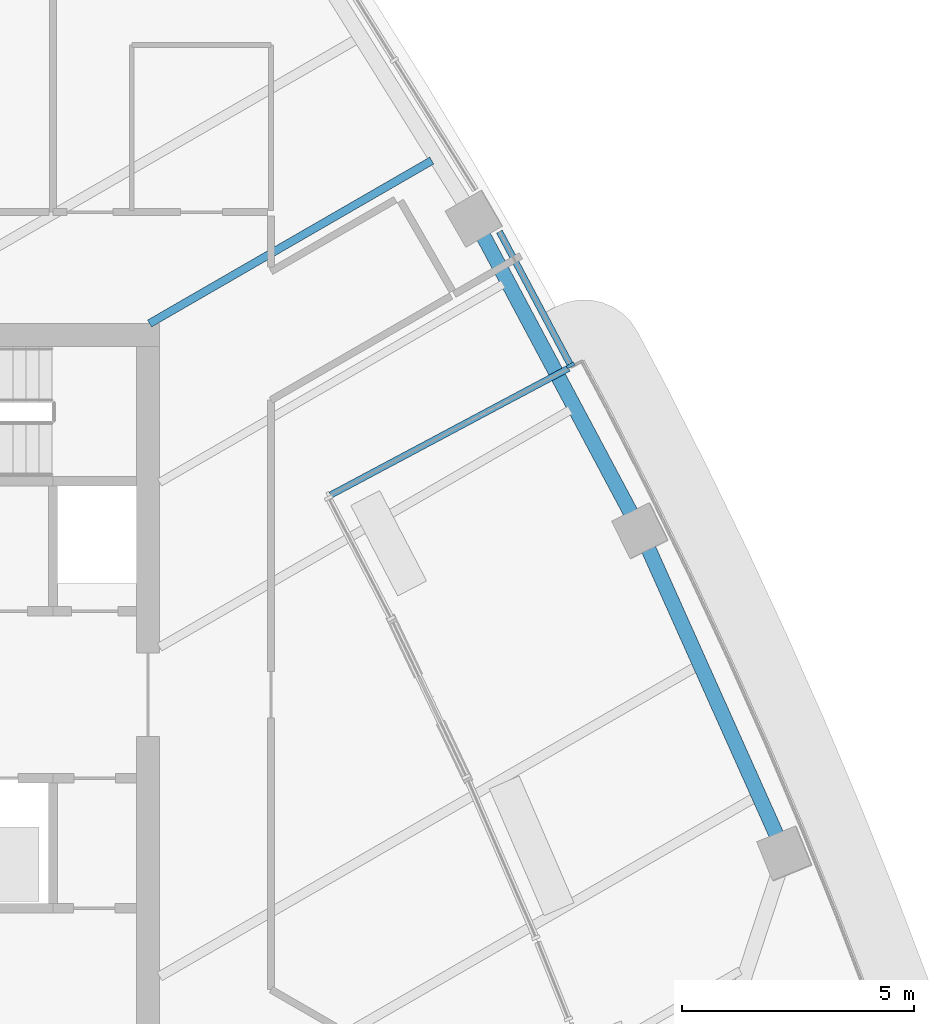
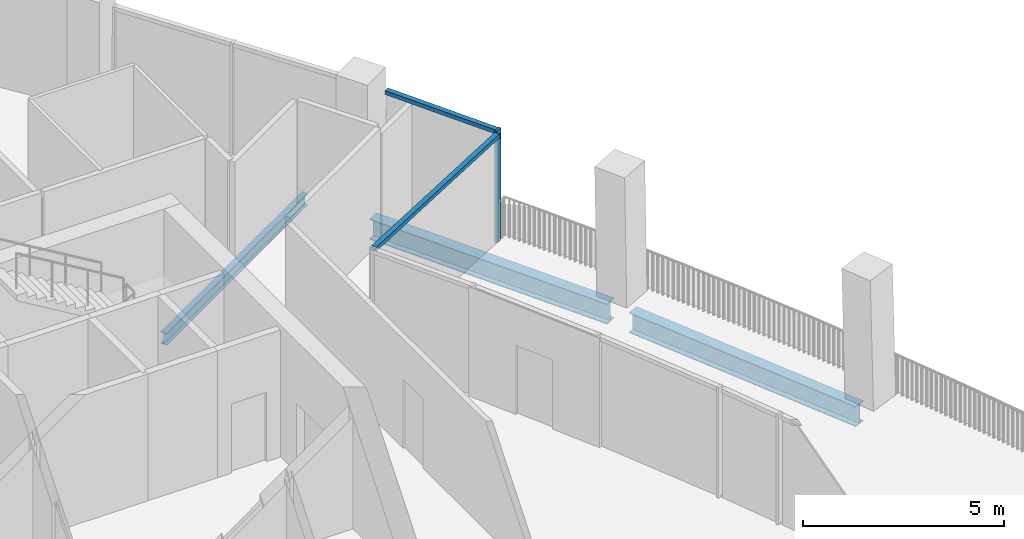
# One storey, part 6 of 21: 3 beams, 3 members, 2 elements without a shape of their own.
"""IFC4 building model written with IfcOpenShell, lengths in metres."""

from ifc_helpers import new_model, si_unit, direction, frame, origin, origin_2d, place, context, subcontext, project, spatial, rectangle, i_section, extrude, material, layer, layer_set, material_profile, profile_set, type_object, element, aggregate, save


model = new_model("IFC4")

# Units and contexts
model_context = context("Model", 3, precision=1e-05, world=origin(), true_north=direction((0.0, 1.0)))
body_context = subcontext(model_context, "Body", "Model", "MODEL_VIEW")
ifc_project = project(units=[si_unit("LENGTHUNIT", "METRE"), si_unit("AREAUNIT", "SQUARE_METRE"), si_unit("VOLUMEUNIT", "CUBIC_METRE"), si_unit("PLANEANGLEUNIT", "RADIAN"), si_unit("MASSUNIT", "GRAM", prefix="KILO")], contexts=[model_context])

# Site, building, storey
site_placement = place(None, origin())
site = spatial("IfcSite", under=ifc_project, at=site_placement, CompositionType="ELEMENT")
building_placement = place(site_placement, origin())
building = spatial("IfcBuilding", under=site, at=building_placement, Name="Sierra Prisma Convention Tower", CompositionType="ELEMENT")
storey_placement = place(building_placement, frame((0.0, 0.0, 259.0)))
storey = spatial("IfcBuildingStorey", under=building, at=storey_placement, Name="L58", CompositionType="ELEMENT", Elevation=259.0)

# Curtain wall, members
ifc_material_1 = material(Name="Aluminium and glass curtain wall", Category="aluminium")
ifc_layer_1 = layer(ifc_material_1, 0.179931640625)
ifc_layer_set_1 = layer_set([ifc_layer_1], Name="CW-1 Plain shaft curtain wall")
curtain_wall_type_1 = type_object("IfcCurtainWallType", Name="CW-1 Plain shaft curtain wall", PredefinedType="NOTDEFINED", material=ifc_layer_set_1)
curtain_wall_1_placement = place(storey_placement, origin())
curtain_wall_1 = element("IfcCurtainWall", 1, at=curtain_wall_1_placement, inside=storey, type_object=curtain_wall_type_1, Name="CW-1 NE3b L58", PredefinedType="NOTDEFINED")
ifc_material_2 = material(Name="Aluminium 6063-T6 bronze anodised", Category="aluminium")
ifc_material_profile_1 = material_profile(ifc_material_2, rectangle(XDim=0.179931640625, YDim=0.070068359375, at=origin_2d()), Name="ALU MULLION 70x180")
ifc_profile_set_1 = profile_set([ifc_material_profile_1], Name="Aluminium 6063-T6 bronze anodised")
member_type_1 = type_object("IfcMemberType", Name="CW mullion bronze", PredefinedType="MULLION", material=ifc_profile_set_1)
member_1_placement = place(storey_placement, frame((19.8544921875, 7.097900390625, 0.0), z_axis=(0.0, 0.0, 1.0), x_axis=(-0.882632882118, -0.470062969616, 0.0)))
member_1 = element("IfcMember", 2, at=member_1_placement, type_object=member_type_1, Name="CW-1 mullion NE3b.1", PredefinedType="MULLION", context=body_context, shape_type="SweptSolid", body=[
    extrude(rectangle(XDim=0.179931640625, YDim=0.070068359375, at=origin_2d()), origin(), (0.0, 0.0, 1.0), 3.39990234375),
])
ifc_material_3 = material(Name="Aluminium 6063-T6 bronze anodised", Category="aluminium")
ifc_material_profile_2 = material_profile(ifc_material_3, rectangle(XDim=0.139892578125, YDim=0.1201171875, at=origin_2d()), Name="ALU TRANSOM 120x140")
ifc_profile_set_2 = profile_set([ifc_material_profile_2], Name="Aluminium 6063-T6 bronze anodised")
member_type_2 = type_object("IfcMemberType", Name="CW transom bronze", PredefinedType="USERDEFINED", material=ifc_profile_set_2)
member_2_placement = place(storey_placement, frame((19.837890625, 7.12890625, 3.340087890625), z_axis=(-0.470062034873, 0.882633379932, 0.0), x_axis=(-0.882633379932, -0.470062034873, 0.0)))
member_2 = element("IfcMember", 3, at=member_2_placement, type_object=member_type_2, Name="CW-1 transom NE3b.1", ObjectType="TRANSOM", PredefinedType="USERDEFINED", context=body_context, shape_type="SweptSolid", body=[
    extrude(rectangle(XDim=0.139892578125, YDim=0.1201171875, at=origin_2d()), origin(), (0.0, 0.0, 1.0), 3.2275390625),
])
aggregate(curtain_wall_1, [member_1, member_2])

# Curtain wall, member
ifc_material_4 = material(Name="Aluminium and glass curtain wall", Category="aluminium")
ifc_layer_2 = layer(ifc_material_4, 0.179931640625)
ifc_layer_set_2 = layer_set([ifc_layer_2], Name="CW-6 Terrace recess curtain wall")
curtain_wall_type_2 = type_object("IfcCurtainWallType", Name="CW-6 Terrace recess curtain wall", PredefinedType="NOTDEFINED", material=ifc_layer_set_2)
curtain_wall_2_placement = place(storey_placement, origin())
curtain_wall_2 = element("IfcCurtainWall", 4, at=curtain_wall_2_placement, inside=storey, type_object=curtain_wall_type_2, Name="CW-6 RT2 L58", PredefinedType="NOTDEFINED")
member_3_placement = place(storey_placement, frame((14.6845703125, 4.30517578125, 3.280029296875), z_axis=(0.882643780635, 0.470042504999, 0.0), x_axis=(-0.470042504999, 0.882643780635, 0.0)))
member_3 = element("IfcMember", 5, at=member_3_placement, type_object=member_type_2, Name="CW-6 transom RT2.1", ObjectType="TRANSOM", PredefinedType="USERDEFINED", context=body_context, shape_type="SweptSolid", body=[
    extrude(rectangle(XDim=0.139892578125, YDim=0.1201171875, at=origin_2d()), origin(), (0.0, 0.0, 1.0), 5.805908203125),
])
aggregate(curtain_wall_2, [member_3])

# Beams
ifc_material_5 = material(Name="Steel ASTM A992 Gr 50", Category="steel")
ifc_material_profile_3 = material_profile(ifc_material_5, i_section(OverallWidth=0.172119140625, OverallDepth=0.35791015625, WebThickness=0.0078125, FlangeThickness=0.01318359375, at=origin_2d()), Name="W360x57")
ifc_profile_set_3 = profile_set([ifc_material_profile_3], Name="Steel ASTM A992 Gr 50")
beam_type_1 = type_object("IfcBeamType", Name="Floor joist W360x57", PredefinedType="JOIST", material=ifc_profile_set_3)
beam_placement = place(storey_placement, frame((16.86181640625, 11.509521484375, -0.3291015625), z_axis=(-0.866023400644, -0.500003469526, 0.0), x_axis=(0.500003469526, -0.866023400644, 0.0)))
element("IfcBeam", 6, at=beam_placement, inside=storey, type_object=beam_type_1, Name="Floor joist L58 NE08", PredefinedType="JOIST", context=body_context, shape_type="SweptSolid", body=[
    extrude(i_section(OverallWidth=0.172119140625, OverallDepth=0.35791015625, WebThickness=0.0078125, FlangeThickness=0.01318359375, at=origin_2d()), origin(), (0.0, 0.0, 1.0), 7.01904296875),
])
ifc_material_6 = material(Name="Steel ASTM A992 Gr 50", Category="steel")
ifc_material_profile_4 = material_profile(ifc_material_6, i_section(OverallWidth=0.324951171875, OverallDepth=0.615966796875, WebThickness=0.013916015625, FlangeThickness=0.021484375, at=origin_2d()), Name="W610x174")
ifc_profile_set_4 = profile_set([ifc_material_profile_4], Name="Steel ASTM A992 Gr 50")
beam_type_2 = type_object("IfcBeamType", Name="Spandrel beam W610x174", PredefinedType="BEAM", material=ifc_profile_set_4)
for number, where, z_axis, x_axis, name in (
    (7, (24.336181640625, -3.122802734375, -0.60791015625), (-0.408583644989, 0.912720880142, 0.0), (-0.912720880142, -0.408583644989, 0.0), "Spandrel L58-08"),
    (8, (21.201171875, 3.82470703125, -0.60791015625), (-0.470054884709, 0.882637187842, 0.0), (-0.882637187842, -0.470054884709, 0.0), "Spandrel L58-09"),
):
    element("IfcBeam", number, at=place(storey_placement, frame(where, z_axis=z_axis, x_axis=x_axis)), inside=storey, type_object=beam_type_2, Name=name, PredefinedType="BEAM", context=body_context, shape_type="SweptSolid", body=[
        extrude(i_section(OverallWidth=0.324951171875, OverallDepth=0.615966796875, WebThickness=0.013916015625, FlangeThickness=0.021484375, at=origin_2d()), origin(), (0.0, 0.0, 1.0), 6.96240234375),
    ])

save(model, "model.ifc")
